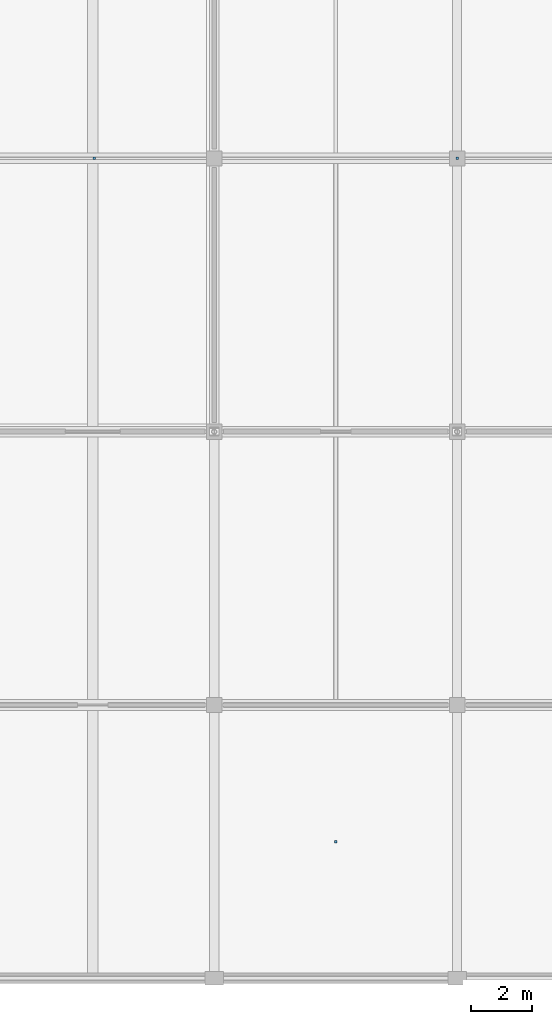
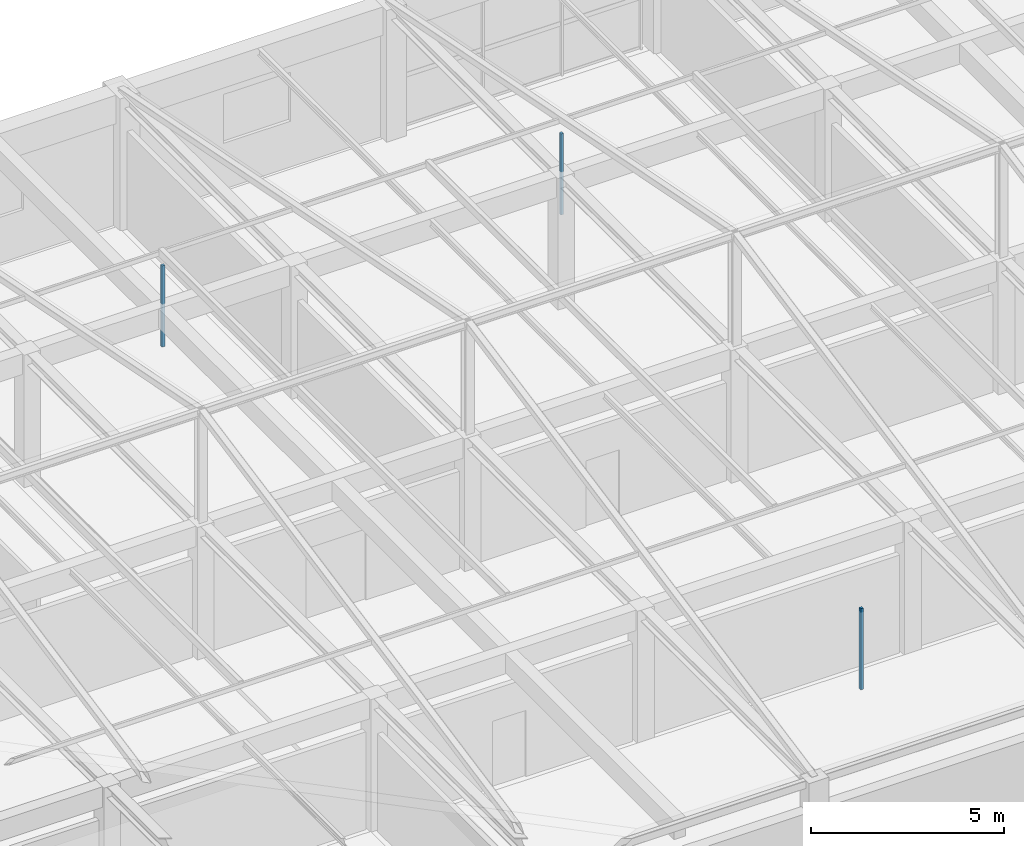
# One storey, part 60 of 65: 3 discrete accessories.
"""IFC4 building model written with IfcOpenShell, lengths in metres."""

from ifc_helpers import new_model, si_unit, direction, frame, origin, origin_2d, place, context, subcontext, project, spatial, rectangle, extrude, material, layer, layer_set, type_object, element, save


model = new_model("IFC4")

# Units and contexts
model_context = context("Model", 3, precision=1e-05, world=origin(), true_north=direction((0.0, 1.0)))
body_context = subcontext(model_context, "Body", "Model", "MODEL_VIEW")
ifc_project = project(units=[si_unit("LENGTHUNIT", "METRE"), si_unit("AREAUNIT", "SQUARE_METRE"), si_unit("VOLUMEUNIT", "CUBIC_METRE"), si_unit("PLANEANGLEUNIT", "RADIAN"), si_unit("MASSUNIT", "GRAM", prefix="KILO")], contexts=[model_context])

# Site, building, storey
site_placement = place(None, origin())
site = spatial("IfcSite", under=ifc_project, at=site_placement, CompositionType="ELEMENT")
building_placement = place(site_placement, origin())
building = spatial("IfcBuilding", under=site, at=building_placement, Name="Varnabhumi Central Station", CompositionType="ELEMENT")
storey_placement = place(building_placement, frame((0.0, 0.0, 24.60009765625)))
storey = spatial("IfcBuildingStorey", under=building, at=storey_placement, Name="L05", CompositionType="ELEMENT", Elevation=24.60009765625)

# Discrete accessories
ifc_material = material(Name="Structural steel E350", Category="steel")
ifc_layer = layer(ifc_material, 0.159912109375, Name="Structural steel E350", Category="steel")
ifc_layer_set = layer_set([ifc_layer], Name="Structural steel E350")
discrete_accessory_type = type_object("IfcDiscreteAccessoryType", Name="ACC-SHADE-BRKT", PredefinedType="BRACKET", material=ifc_layer_set)
for number, where, z_axis, x_axis, name in (
    (1, (68.050048828125, 27.0, 2.83984375), (0.0, 0.0, 1.0), (1.0, 0.0, 0.0), "Railway Staff Canteen and Dining Hall Ceiling Hanger"),
    (2, (80.0, 27.0, 2.83984375), (0.0, 0.0, 1.0), (1.0, 0.0, 0.0), "Locomotive and Guard Crew Sign-On Office Ceiling Hanger"),
    (3, (76.0, 4.5, 2.83984375), (0.0, 0.0, 1.0), (1.0, 0.0, 0.0), "Male Train Crew Locker and Shower Room Ceiling Hanger"),
):
    element("IfcDiscreteAccessory", number, at=place(storey_placement, frame(where, z_axis=z_axis, x_axis=x_axis)), inside=storey, type_object=discrete_accessory_type, Name=name, PredefinedType="BRACKET", context=body_context, shape_type="SweptSolid", body=[
        extrude(rectangle(XDim=0.080078125, YDim=0.080078125, at=origin_2d()), origin(), (0.0, 0.0, 1.0), 2.570068359375),
    ])

save(model, "model.ifc")
